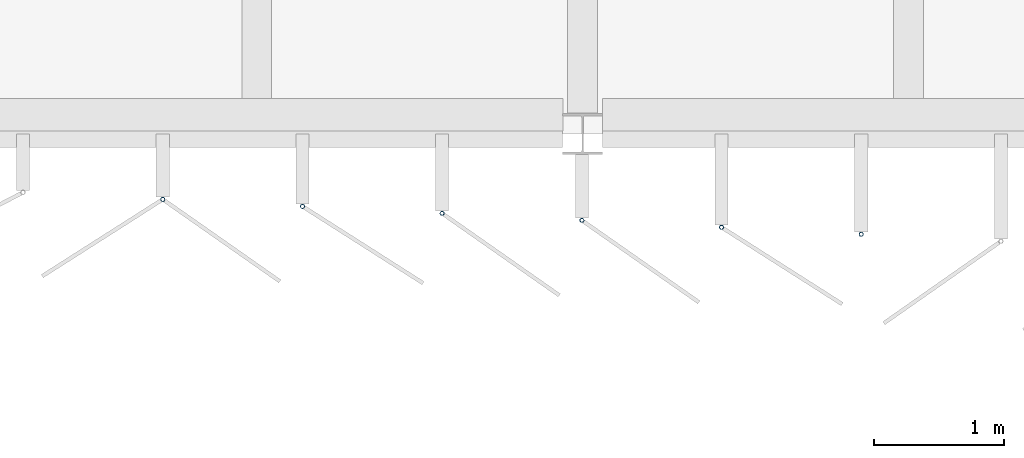
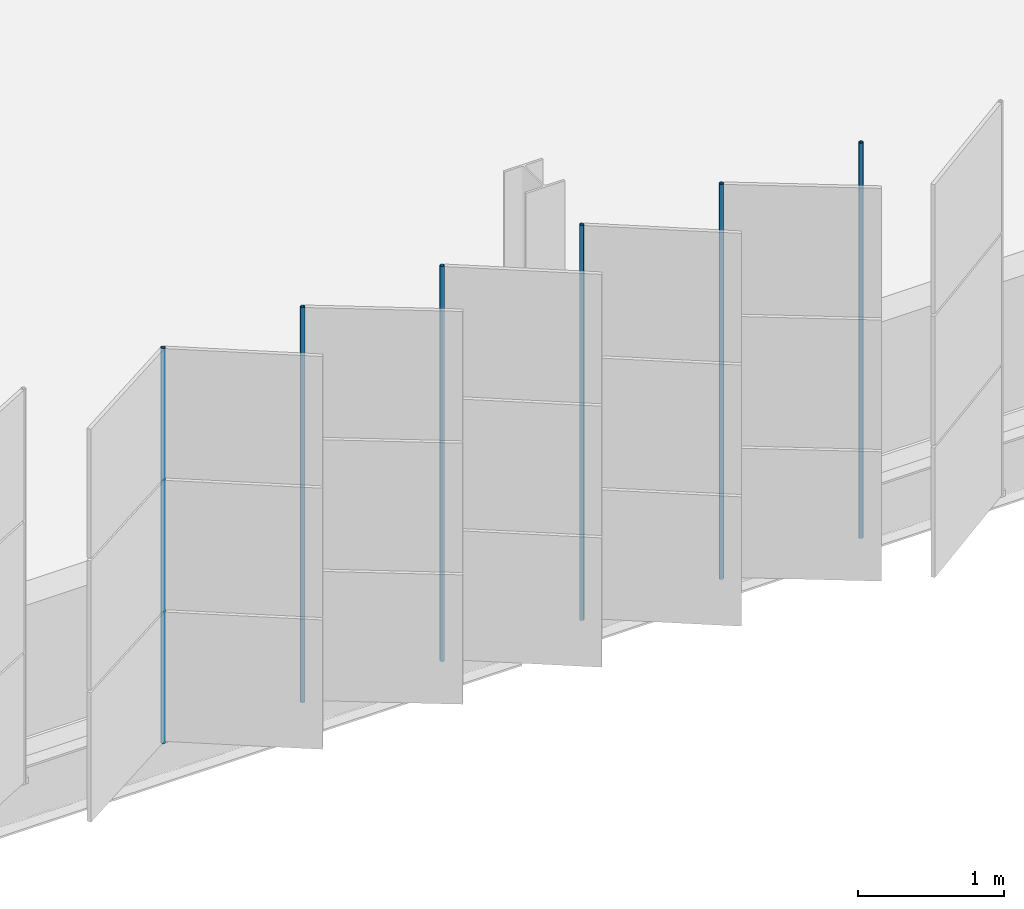
# One storey, part 122 of 214: 6 discrete accessories.
"""IFC4 building model written with IfcOpenShell, lengths in metres."""

from ifc_helpers import new_model, si_unit, direction, frame, origin, origin_2d, place, context, subcontext, project, spatial, hollow_circle, extrude, material, material_profile, profile_set, type_object, element, save


model = new_model("IFC4")

# Units and contexts
model_context = context("Model", 3, precision=1e-05, world=origin(), true_north=direction((0.0, 1.0)))
body_context = subcontext(model_context, "Body", "Model", "MODEL_VIEW")
ifc_project = project(units=[si_unit("LENGTHUNIT", "METRE"), si_unit("AREAUNIT", "SQUARE_METRE"), si_unit("VOLUMEUNIT", "CUBIC_METRE"), si_unit("PLANEANGLEUNIT", "RADIAN"), si_unit("MASSUNIT", "GRAM", prefix="KILO")], contexts=[model_context])

# Site, building, storey
site_placement = place(None, origin())
site = spatial("IfcSite", under=ifc_project, at=site_placement, CompositionType="ELEMENT")
building_placement = place(site_placement, origin())
building = spatial("IfcBuilding", under=site, at=building_placement, Name="Parallax Yard Mobility Hub", CompositionType="ELEMENT")
storey_placement = place(building_placement, frame((0.0, 0.0, 3.300048828125)))
storey = spatial("IfcBuildingStorey", under=building, at=storey_placement, Name="L01", CompositionType="ELEMENT", Elevation=3.300048828125)

# Discrete accessories
ifc_material = material(Name="Steel ASTM A500 Gr C, hot-dip galvanised", Category="steel")
ifc_material_profile = material_profile(ifc_material, hollow_circle(Radius=0.016845703125, WallThickness=0.003173828125, at=origin_2d()), Name="CHS 33.7x3.2")
ifc_profile_set = profile_set([ifc_material_profile], Name="Steel ASTM A500 Gr C, hot-dip galvanised")
discrete_accessory_type = type_object("IfcDiscreteAccessoryType", Name="Hinge post CHS 33.7x3.2", PredefinedType="BRACKET", material=ifc_profile_set)
for number, where, z_axis, x_axis, name in (
    (1, (161.780029296875, 111.998291015625, 0.0), (0.0, 0.0, 1.0), (1.0, 0.0, 0.0), "Hinge post bay 16.5 level L01"),
    (2, (162.8515625, 111.944580078125, 0.0), (0.0, 0.0, 1.0), (1.0, 0.0, 0.0), "Hinge post bay 16.6 level L01"),
    (3, (163.923095703125, 111.89111328125, 0.0), (0.0, 0.0, 1.0), (1.0, 0.0, 0.0), "Hinge post bay 16.7 level L01"),
    (4, (164.99462890625, 111.83740234375, 0.0), (0.0, 0.0, 1.0), (1.0, 0.0, 0.0), "Hinge post bay 17.1 level L01"),
    (5, (166.066162109375, 111.783935546875, 0.0), (0.0, 0.0, 1.0), (1.0, 0.0, 0.0), "Hinge post bay 17.2 level L01"),
    (6, (167.1376953125, 111.73046875, 0.0), (0.0, 0.0, 1.0), (1.0, 0.0, 0.0), "Hinge post bay 17.3 level L01"),
):
    element("IfcDiscreteAccessory", number, at=place(storey_placement, frame(where, z_axis=z_axis, x_axis=x_axis)), inside=storey, type_object=discrete_accessory_type, Name=name, PredefinedType="BRACKET", context=body_context, shape_type="SweptSolid", body=[
        extrude(hollow_circle(Radius=0.016845703125, WallThickness=0.003173828125, at=origin_2d()), origin(), (0.0, 0.0, 1.0), 3.300048828125),
    ])

save(model, "model.ifc")
